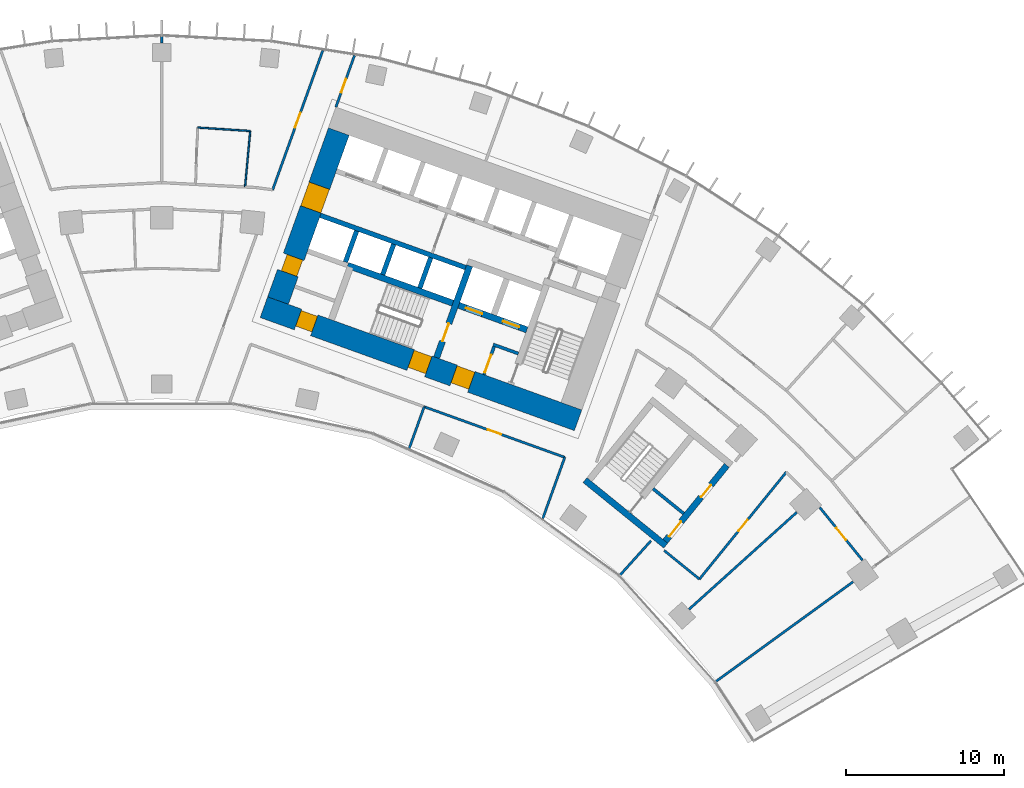
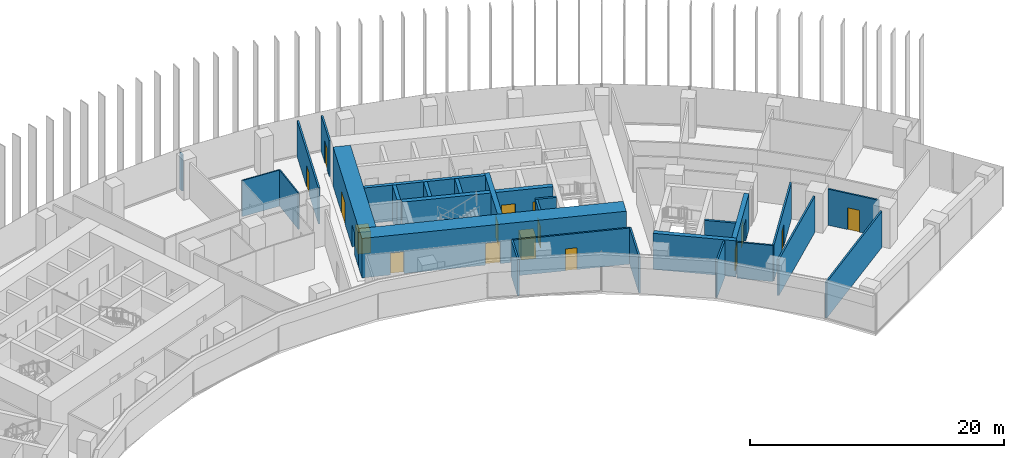
# One storey, part 17 of 21: 27 walls, 16 doors, 16 openings.
"""IFC4 building model written with IfcOpenShell, lengths in metres."""

from ifc_helpers import new_model, si_unit, direction, frame, frame_2d, origin, place, context, subcontext, project, spatial, rectangle, extrude, material, layer, layer_set, type_object, element, fill, save


model = new_model("IFC4")

# Units and contexts
model_context = context("Model", 3, precision=1e-05, world=origin(), true_north=direction((0.0, 1.0)))
body_context = subcontext(model_context, "Body", "Model", "MODEL_VIEW")
ifc_project = project(units=[si_unit("LENGTHUNIT", "METRE"), si_unit("AREAUNIT", "SQUARE_METRE"), si_unit("VOLUMEUNIT", "CUBIC_METRE"), si_unit("PLANEANGLEUNIT", "RADIAN"), si_unit("MASSUNIT", "GRAM", prefix="KILO")], contexts=[model_context])

# Site, building, storey
site_placement = place(None, origin())
site = spatial("IfcSite", under=ifc_project, at=site_placement, CompositionType="ELEMENT")
building_placement = place(site_placement, origin())
building = spatial("IfcBuilding", under=site, at=building_placement, Name="Stone Belt Terrace Tower", CompositionType="ELEMENT")
storey_placement = place(building_placement, frame((0.0, 0.0, 87.0)))
storey = spatial("IfcBuildingStorey", under=building, at=storey_placement, Name="L20", CompositionType="ELEMENT", Elevation=87.0)

# Wall, openings, doors
ifc_material_1 = material(Name="Concrete B80", Category="concrete")
ifc_layer_1 = layer(ifc_material_1, 1.39990234375)
ifc_layer_set_1 = layer_set([ifc_layer_1], Name="Core wall 1400 B80")
wall_type_1 = type_object("IfcWallType", Name="Core wall 1400 B80", PredefinedType="SHEAR", material=ifc_layer_set_1)
wall_1_placement = place(storey_placement, frame((6.4833984375, 49.318115234375, 0.0), z_axis=(0.0, 0.0, 1.0), x_axis=(0.940923374003, -0.33861955681, 0.0)))
wall_1 = element("IfcWall", 1, at=wall_1_placement, inside=storey, type_object=wall_type_1, Name="Core B wall concave L20", PredefinedType="SHEAR", context=body_context, shape_type="SweptSolid", body=[
    extrude(rectangle(XDim=21.199951171875, YDim=1.39990234375, at=frame_2d((10.60009765625, 0.0))), origin(), (0.0, 0.0, 1.0), 3.800048828125),
])
opening_1_placement = place(wall_1_placement, frame((12.800048828125, 0.0, 0.0)))
opening_1 = element("IfcOpeningElement", 2, at=opening_1_placement, cuts=wall_1, Name="Opening L20-C18", PredefinedType="OPENING", context=body_context, shape_type="SweptSolid", body=[
    extrude(rectangle(XDim=1.199951171875, YDim=2.10009765625, at=frame_2d((0.60009765625, 1.050048828125))), frame((0.0, 0.7099609375, 0.0), z_axis=(0.0, -1.0, 0.0), x_axis=(1.0, 0.0, 0.0)), (0.0, 0.0, 1.0), 1.419921875),
])
opening_2_placement = place(wall_1_placement, frame((9.89990234375, 0.0, 0.0)))
opening_2 = element("IfcOpeningElement", 3, at=opening_2_placement, cuts=wall_1, Name="Opening L20-C20", PredefinedType="OPENING", context=body_context, shape_type="SweptSolid", body=[
    extrude(rectangle(XDim=1.199951171875, YDim=2.10009765625, at=frame_2d((0.60009765625, 1.050048828125))), frame((0.0, 0.7099609375, 0.0), z_axis=(0.0, -1.0, 0.0), x_axis=(1.0, 0.0, 0.0)), (0.0, 0.0, 1.0), 1.419921875),
])
opening_3_placement = place(wall_1_placement, frame((2.300048828125, 0.0, 0.0)))
opening_3 = element("IfcOpeningElement", 4, at=opening_3_placement, cuts=wall_1, Name="Opening L20-C22", PredefinedType="OPENING", context=body_context, shape_type="SweptSolid", body=[
    extrude(rectangle(XDim=1.10009765625, YDim=2.10009765625, at=frame_2d((0.550048828125, 1.050048828125))), frame((0.0, 0.7099609375, 0.0), z_axis=(0.0, -1.0, 0.0), x_axis=(1.0, 0.0, 0.0)), (0.0, 0.0, 1.0), 1.419921875),
])
ifc_material_2 = material(Name="Timber door leaf", Category="wood")
door_type_1 = type_object("IfcDoorType", Name="Core room door 1100", OperationType="SINGLE_SWING_LEFT", PredefinedType="DOOR", material=ifc_material_2)
door_1_placement = place(opening_3_placement, origin())
door_1 = element("IfcDoor", 5, at=door_1_placement, inside=storey, type_object=door_type_1, Name="Door to Pipe riser core B", OperationType="SINGLE_SWING_RIGHT", OverallHeight=2.10009765625, OverallWidth=1.10009765625, PredefinedType="DOOR", context=body_context, shape_type="SweptSolid", body=[
    extrude(rectangle(XDim=1.10009765625, YDim=2.10009765625, at=frame_2d((0.550048828125, 1.050048828125))), frame((0.0, 0.60498046875, 0.0), z_axis=(0.0, -1.0, 0.0), x_axis=(1.0, 0.0, 0.0)), (0.0, 0.0, 1.0), 1.050048828125),
])
fill(opening_3, door_1)
ifc_material_3 = material(Name="Steel door leaf", Category="steel")
door_type_2 = type_object("IfcDoorType", Name="Fire-fighting lobby door 1200", OperationType="SINGLE_SWING_LEFT", PredefinedType="DOOR", material=ifc_material_3)
door_2_placement = place(opening_1_placement, origin())
door_2 = element("IfcDoor", 6, at=door_2_placement, inside=storey, type_object=door_type_2, Name="Fire-fighting lobby door core B", OperationType="SINGLE_SWING_RIGHT", OverallHeight=2.10009765625, OverallWidth=1.199951171875, PredefinedType="DOOR", context=body_context, shape_type="SweptSolid", body=[
    extrude(rectangle(XDim=1.199951171875, YDim=2.10009765625, at=frame_2d((0.60009765625, 1.050048828125))), frame((0.0, 0.655029296875, 0.0), z_axis=(0.0, -1.0, 0.0), x_axis=(1.0, 0.0, 0.0)), (0.0, 0.0, 1.0), 1.14990234375),
])
fill(opening_1, door_2)
door_type_3 = type_object("IfcDoorType", Name="Stair door 1200", OperationType="SINGLE_SWING_LEFT", PredefinedType="DOOR", material=ifc_material_3)
door_3_placement = place(opening_2_placement, origin())
door_3 = element("IfcDoor", 7, at=door_3_placement, inside=storey, type_object=door_type_3, Name="Stair 2 exit door core B", OperationType="SINGLE_SWING_LEFT", OverallHeight=2.10009765625, OverallWidth=1.199951171875, PredefinedType="DOOR", context=body_context, shape_type="SweptSolid", body=[
    extrude(rectangle(XDim=1.199951171875, YDim=2.10009765625, at=frame_2d((0.60009765625, 1.050048828125))), frame((0.0, 0.655029296875, 0.0), z_axis=(0.0, -1.0, 0.0), x_axis=(1.0, 0.0, 0.0)), (0.0, 0.0, 1.0), 1.14990234375),
])
fill(opening_2, door_3)

wall_2_placement = place(storey_placement, frame((7.379150390625, 49.73974609375, 0.0), z_axis=(0.0, 0.0, 1.0), x_axis=(0.338625431531, 0.940921259788, 0.0)))
wall_2 = element("IfcWall", 8, at=wall_2_placement, inside=storey, type_object=wall_type_1, Name="Core B wall end_a L20", PredefinedType="SHEAR", context=body_context, shape_type="SweptSolid", body=[
    extrude(rectangle(XDim=11.400146484375, YDim=1.39990234375, at=frame_2d((5.7001953125, 0.0))), origin(), (0.0, 0.0, 1.0), 3.800048828125),
])
opening_4_placement = place(wall_2_placement, frame((6.14990234375, 0.0, 0.0)))
opening_4 = element("IfcOpeningElement", 9, at=opening_4_placement, cuts=wall_2, Name="Opening L20-C15", PredefinedType="OPENING", context=body_context, shape_type="SweptSolid", body=[
    extrude(rectangle(XDim=1.60009765625, YDim=2.10009765625, at=frame_2d((0.800048828125, 1.050048828125))), frame((0.0, 0.7099609375, 0.0), z_axis=(0.0, -1.0, 0.0), x_axis=(1.0, 0.0, 0.0)), (0.0, 0.0, 1.0), 1.419921875),
])
opening_5_placement = place(wall_2_placement, frame((1.85009765625, 0.0, 0.0)))
opening_5 = element("IfcOpeningElement", 10, at=opening_5_placement, cuts=wall_2, Name="Opening L20-C21", PredefinedType="OPENING", context=body_context, shape_type="SweptSolid", body=[
    extrude(rectangle(XDim=1.10009765625, YDim=2.10009765625, at=frame_2d((0.550048828125, 1.050048828125))), frame((0.0, 0.7099609375, 0.0), z_axis=(0.0, -1.0, 0.0), x_axis=(1.0, 0.0, 0.0)), (0.0, 0.0, 1.0), 1.419921875),
])
door_4_placement = place(opening_5_placement, origin())
door_4 = element("IfcDoor", 11, at=door_4_placement, inside=storey, type_object=door_type_1, Name="Door to Accessible WC core B", OperationType="SINGLE_SWING_LEFT", OverallHeight=2.10009765625, OverallWidth=1.10009765625, PredefinedType="DOOR", context=body_context, shape_type="SweptSolid", body=[
    extrude(rectangle(XDim=1.10009765625, YDim=2.10009765625, at=frame_2d((0.550048828125, 1.050048828125))), frame((0.0, 0.44482421875, 0.0), z_axis=(0.0, -1.0, 0.0), x_axis=(1.0, 0.0, 0.0)), (0.0, 0.0, 1.0), 1.050048828125),
])
fill(opening_5, door_4)
ifc_material_4 = material(Name="Glazed aluminium door leaf", Category="aluminium")
door_type_4 = type_object("IfcDoorType", Name="Lift lobby entrance door 1600", OperationType="DOUBLE_DOOR_SINGLE_SWING", PredefinedType="DOOR", material=ifc_material_4)
door_5_placement = place(opening_4_placement, origin())
door_5 = element("IfcDoor", 12, at=door_5_placement, inside=storey, type_object=door_type_4, Name="Lift lobby entrance door core B", OperationType="DOUBLE_DOOR_SINGLE_SWING", OverallHeight=2.10009765625, OverallWidth=1.60009765625, PredefinedType="DOOR", context=body_context, shape_type="SweptSolid", body=[
    extrude(rectangle(XDim=1.60009765625, YDim=2.10009765625, at=frame_2d((0.800048828125, 1.050048828125))), frame((0.0, 0.68017578125, 0.0), z_axis=(0.0, -1.0, 0.0), x_axis=(1.0, 0.0, 0.0)), (0.0, 0.0, 1.0), 1.360107421875),
])
fill(opening_4, door_5)

# Walls
ifc_layer_2 = layer(ifc_material_1, 0.300048828125)
ifc_layer_set_2 = layer_set([ifc_layer_2], Name="Lift shaft wall 300")
wall_type_2 = type_object("IfcWallType", Name="Lift shaft wall 300", PredefinedType="SHEAR", material=ifc_layer_set_2)
wall_3_placement = place(storey_placement, frame((19.29052734375, 51.829833984375, 0.0), z_axis=(0.0, 0.0, 1.0), x_axis=(-0.940925833398, 0.338612722803, 0.0)))
element("IfcWall", 13, at=wall_3_placement, inside=storey, type_object=wall_type_2, Name="Core B wall", PredefinedType="SHEAR", context=body_context, shape_type="SweptSolid", body=[
    extrude(rectangle(XDim=9.7998046875, YDim=0.300048828125, at=frame_2d((4.89990234375, 0.0))), origin(), (0.0, 0.0, 1.0), 3.47998046875),
])
for number, where, z_axis, x_axis, name in (
    (14, (16.38134765625, 50.53857421875, 0.0), (0.0, 0.0, 1.0), (0.338681515556, 0.940901073982, 0.0), "Core B wall"),
    (15, (14.029052734375, 51.38525390625, 0.0), (0.0, 0.0, 1.0), (0.338681515556, 0.940901073982, 0.0), "Core B wall"),
):
    element("IfcWall", number, at=place(storey_placement, frame(where, z_axis=z_axis, x_axis=x_axis)), inside=storey, type_object=wall_type_2, Name=name, PredefinedType="SHEAR", context=body_context, shape_type="SweptSolid", body=[
        extrude(rectangle(XDim=2.050048828125, YDim=0.300048828125, at=frame_2d((1.02490234375, 0.0))), origin(), (0.0, 0.0, 1.0), 3.47998046875),
    ])
wall_4_placement = place(storey_placement, frame((11.659912109375, 52.184814453125, 0.0), z_axis=(0.0, 0.0, 1.0), x_axis=(0.338670064856, 0.940905195634, 0.0)))
element("IfcWall", 16, at=wall_4_placement, inside=storey, type_object=wall_type_2, Name="Core B wall", PredefinedType="SHEAR", context=body_context, shape_type="SweptSolid", body=[
    extrude(rectangle(XDim=2.099853515625, YDim=0.300048828125, at=frame_2d((1.0498046875, 0.0))), origin(), (0.0, 0.0, 1.0), 3.47998046875),
])
ifc_material_5 = material(Name="Gypsum board partition")
ifc_layer_3 = layer(ifc_material_5, 0.10009765625)
ifc_layer_set_3 = layer_set([ifc_layer_3], Name="PARTITION 100")
wall_type_3 = type_object("IfcWallType", Name="PARTITION 100", PredefinedType="PARTITIONING", material=ifc_layer_set_3)
wall_5_placement = place(storey_placement, frame((5.287109375, 56.947998046875, 0.0), z_axis=(0.0, 0.0, 1.0), x_axis=(0.092360135741, 0.995725667705, 0.0)))
element("IfcWall", 17, at=wall_5_placement, inside=storey, type_object=wall_type_3, Name="L20/wall/i091", PredefinedType="PARTITIONING", context=body_context, shape_type="SweptSolid", body=[
    extrude(rectangle(XDim=3.5712890625, YDim=0.10009765625, at=frame_2d((1.78564453125, 0.0))), origin(), (0.0, 0.0, 1.0), 3.47998046875),
])
wall_6_placement = place(storey_placement, frame((5.616943359375, 60.50390625, 0.0), z_axis=(0.0, 0.0, 1.0), x_axis=(-0.997869987179, 0.065234106775, 0.0)))
element("IfcWall", 18, at=wall_6_placement, inside=storey, type_object=wall_type_3, Name="L20/wall/i092", PredefinedType="PARTITIONING", context=body_context, shape_type="SweptSolid", body=[
    extrude(rectangle(XDim=3.342041015625, YDim=0.10009765625, at=frame_2d((1.6708984375, 0.0))), origin(), (0.0, 0.0, 1.0), 3.47998046875),
])

# Wall, opening, door
ifc_layer_4 = layer(ifc_material_5, 0.14990234375)
ifc_layer_set_4 = layer_set([ifc_layer_4], Name="PARTITION 150 EI 60")
wall_type_4 = type_object("IfcWallType", Name="PARTITION 150 EI 60", PredefinedType="PARTITIONING", material=ifc_layer_set_4)
wall_7_placement = place(storey_placement, frame((12.23486328125, 65.297119140625, 0.0), z_axis=(0.0, 0.0, 1.0), x_axis=(-0.338853532575, -0.94083913793, 0.0)))
wall_7 = element("IfcWall", 19, at=wall_7_placement, inside=storey, type_object=wall_type_4, Name="L20/wall/i016", PredefinedType="PARTITIONING", context=body_context, shape_type="SweptSolid", body=[
    extrude(rectangle(XDim=3.482177734375, YDim=0.14990234375, at=frame_2d((1.7412109375, 0.0))), origin(), (0.0, 0.0, 1.0), 3.47998046875),
])
opening_6_placement = place(wall_7_placement, frame((1.58837890625, 0.0, 0.0)))
opening_6 = element("IfcOpeningElement", 20, at=opening_6_placement, cuts=wall_7, Name="Opening D-B1-07", PredefinedType="OPENING", context=body_context, shape_type="SweptSolid", body=[
    extrude(rectangle(XDim=0.89990234375, YDim=2.10009765625, at=frame_2d((0.449951171875, 1.050048828125))), frame((0.0, 0.0849609375, 0.0), z_axis=(0.0, -1.0, 0.0), x_axis=(1.0, 0.0, 0.0)), (0.0, 0.0, 1.0), 0.169921875),
])
door_type_5 = type_object("IfcDoorType", Name="OFFICE DOOR 900 X 2100", OperationType="NOTDEFINED", PredefinedType="DOOR", material=ifc_material_2)
door_6_placement = place(opening_6_placement, origin())
door_6 = element("IfcDoor", 21, at=door_6_placement, inside=storey, type_object=door_type_5, Name="L20/door/i07", OperationType="SINGLE_SWING_RIGHT", OverallHeight=2.10009765625, OverallWidth=0.89990234375, PredefinedType="DOOR", context=body_context, shape_type="SweptSolid", body=[
    extrude(rectangle(XDim=0.89990234375, YDim=2.10009765625, at=frame_2d((0.449951171875, 1.050048828125))), frame((0.0, 0.02490234375, 0.0), z_axis=(0.0, -1.0, 0.0), x_axis=(1.0, 0.0, 0.0)), (0.0, 0.0, 1.0), 0.050048828125),
])
fill(opening_6, door_6)

wall_8_placement = place(storey_placement, frame((7.0390625, 56.76708984375, 0.0), z_axis=(0.0, 0.0, 1.0), x_axis=(0.338637655092, 0.940916860596, 0.0)))
wall_8 = element("IfcWall", 22, at=wall_8_placement, inside=storey, type_object=wall_type_4, Name="L20/wall/i018", PredefinedType="PARTITIONING", context=body_context, shape_type="SweptSolid", body=[
    extrude(rectangle(XDim=9.40478515625, YDim=0.14990234375, at=frame_2d((4.702392578125, 0.0))), origin(), (0.0, 0.0, 1.0), 3.47998046875),
])
opening_7_placement = place(wall_8_placement, frame((4.202392578125, 0.0, 0.0)))
opening_7 = element("IfcOpeningElement", 23, at=opening_7_placement, cuts=wall_8, Name="Opening D-B1-27", PredefinedType="OPENING", context=body_context, shape_type="SweptSolid", body=[
    extrude(rectangle(XDim=1.0, YDim=2.10009765625, at=frame_2d((0.5, 1.050048828125))), frame((0.0, 0.0849609375, 0.0), z_axis=(0.0, -1.0, 0.0), x_axis=(1.0, 0.0, 0.0)), (0.0, 0.0, 1.0), 0.169921875),
])
ifc_material_6 = material(Name="Timber fire door leaf", Category="wood")
door_type_6 = type_object("IfcDoorType", Name="TENANCY ENTRANCE DOOR 1000 X 2100", OperationType="NOTDEFINED", PredefinedType="DOOR", material=ifc_material_6)
door_7_placement = place(opening_7_placement, origin())
door_7 = element("IfcDoor", 24, at=door_7_placement, inside=storey, type_object=door_type_6, Name="L20/door/i27", OperationType="SINGLE_SWING_RIGHT", OverallHeight=2.10009765625, OverallWidth=1.0, PredefinedType="DOOR", context=body_context, shape_type="SweptSolid", body=[
    extrude(rectangle(XDim=1.0, YDim=2.10009765625, at=frame_2d((0.5, 1.050048828125))), frame((0.0, 0.02490234375, 0.0), z_axis=(0.0, -1.0, 0.0), x_axis=(1.0, 0.0, 0.0)), (0.0, 0.0, 1.0), 0.050048828125),
])
fill(opening_7, door_7)

# Walls
wall_9_placement = place(storey_placement, frame((24.18603515625, 35.902099609375, 0.0), z_axis=(0.0, 0.0, 1.0), x_axis=(0.338545933013, 0.940949866486, 0.0)))
element("IfcWall", 25, at=wall_9_placement, inside=storey, type_object=wall_type_4, Name="L20/wall/i019", PredefinedType="PARTITIONING", context=body_context, shape_type="SweptSolid", body=[
    extrude(rectangle(XDim=4.135009765625, YDim=0.14990234375, at=frame_2d((2.0673828125, 0.0))), origin(), (0.0, 0.0, 1.0), 3.47998046875),
])
wall_10_placement = place(storey_placement, frame((31.054931640625, 34.489990234375, 0.0), z_axis=(0.0, 0.0, 1.0), x_axis=(-0.669108362487, -0.743164853347, 0.0)))
element("IfcWall", 26, at=wall_10_placement, inside=storey, type_object=wall_type_4, Name="L20/wall/i022", PredefinedType="PARTITIONING", context=body_context, shape_type="SweptSolid", body=[
    extrude(rectangle(XDim=2.910888671875, YDim=0.14990234375, at=frame_2d((1.45556640625, 0.0))), origin(), (0.0, 0.0, 1.0), 3.47998046875),
])

# Wall, opening, door
wall_11_placement = place(storey_placement, frame((25.583984375, 39.787109375, 0.0), z_axis=(0.0, 0.0, 1.0), x_axis=(-0.940938892823, 0.338576431508, 0.0)))
wall_11 = element("IfcWall", 27, at=wall_11_placement, inside=storey, type_object=wall_type_4, Name="L20/wall/i026", PredefinedType="PARTITIONING", context=body_context, shape_type="SweptSolid", body=[
    extrude(rectangle(XDim=9.489501953125, YDim=0.14990234375, at=frame_2d((4.74462890625, 0.0))), origin(), (0.0, 0.0, 1.0), 3.47998046875),
])
opening_8_placement = place(wall_11_placement, frame((4.294677734375, 0.0, 0.0)))
opening_8 = element("IfcOpeningElement", 28, at=opening_8_placement, cuts=wall_11, Name="Opening D-B1-06", PredefinedType="OPENING", context=body_context, shape_type="SweptSolid", body=[
    extrude(rectangle(XDim=0.89990234375, YDim=2.10009765625, at=frame_2d((0.449951171875, 1.050048828125))), frame((0.0, 0.0849609375, 0.0), z_axis=(0.0, -1.0, 0.0), x_axis=(1.0, 0.0, 0.0)), (0.0, 0.0, 1.0), 0.169921875),
])
door_8_placement = place(opening_8_placement, origin())
door_8 = element("IfcDoor", 29, at=door_8_placement, inside=storey, type_object=door_type_5, Name="L20/door/i06", OperationType="SINGLE_SWING_RIGHT", OverallHeight=2.10009765625, OverallWidth=0.89990234375, PredefinedType="DOOR", context=body_context, shape_type="SweptSolid", body=[
    extrude(rectangle(XDim=0.89990234375, YDim=2.10009765625, at=frame_2d((0.449951171875, 1.050048828125))), frame((0.0, 0.02490234375, 0.0), z_axis=(0.0, -1.0, 0.0), x_axis=(1.0, 0.0, 0.0)), (0.0, 0.0, 1.0), 0.050048828125),
])
fill(opening_8, door_8)

# Walls
wall_12_placement = place(storey_placement, frame((16.660888671875, 42.998046875, 0.0), z_axis=(0.0, 0.0, 1.0), x_axis=(-0.338818163049, -0.940851875902, 0.0)))
element("IfcWall", 30, at=wall_12_placement, inside=storey, type_object=wall_type_4, Name="L20/wall/i027", PredefinedType="PARTITIONING", context=body_context, shape_type="SweptSolid", body=[
    extrude(rectangle(XDim=2.802978515625, YDim=0.14990234375, at=frame_2d((1.4013671875, 0.0))), origin(), (0.0, 0.0, 1.0), 3.47998046875),
])
wall_13_placement = place(storey_placement, frame((35.192138671875, 25.568115234375, 0.0), z_axis=(0.0, 0.0, 1.0), x_axis=(0.809024841759, 0.587774451143, 0.0)))
element("IfcWall", 31, at=wall_13_placement, inside=storey, type_object=wall_type_4, Name="L20/wall/i047", PredefinedType="PARTITIONING", context=body_context, shape_type="SweptSolid", body=[
    extrude(rectangle(XDim=10.745361328125, YDim=0.14990234375, at=frame_2d((5.37255859375, 0.0))), origin(), (0.0, 0.0, 1.0), 3.47998046875),
])

# Wall, opening, door
wall_14_placement = place(storey_placement, frame((44.485107421875, 33.253662109375, 0.0), z_axis=(0.0, 0.0, 1.0), x_axis=(-0.629214542808, 0.777231663739, 0.0)))
wall_14 = element("IfcWall", 32, at=wall_14_placement, inside=storey, type_object=wall_type_4, Name="L20/wall/i055", PredefinedType="PARTITIONING", context=body_context, shape_type="SweptSolid", body=[
    extrude(rectangle(XDim=4.304931640625, YDim=0.14990234375, at=frame_2d((2.15234375, 0.0))), origin(), (0.0, 0.0, 1.0), 3.47998046875),
])
opening_9_placement = place(wall_14_placement, frame((1.652587890625, 0.0, 0.0)))
opening_9 = element("IfcOpeningElement", 33, at=opening_9_placement, cuts=wall_14, Name="Opening D-B1-17", PredefinedType="OPENING", context=body_context, shape_type="SweptSolid", body=[
    extrude(rectangle(XDim=1.0, YDim=2.10009765625, at=frame_2d((0.5, 1.050048828125))), frame((0.0, 0.0849609375, 0.0), z_axis=(0.0, -1.0, 0.0), x_axis=(1.0, 0.0, 0.0)), (0.0, 0.0, 1.0), 0.169921875),
])
door_9_placement = place(opening_9_placement, origin())
door_9 = element("IfcDoor", 34, at=door_9_placement, inside=storey, type_object=door_type_6, Name="L20/door/i17", OperationType="SINGLE_SWING_RIGHT", OverallHeight=2.10009765625, OverallWidth=1.0, PredefinedType="DOOR", context=body_context, shape_type="SweptSolid", body=[
    extrude(rectangle(XDim=1.0, YDim=2.10009765625, at=frame_2d((0.5, 1.050048828125))), frame((0.0, 0.02490234375, 0.0), z_axis=(0.0, -1.0, 0.0), x_axis=(1.0, 0.0, 0.0)), (0.0, 0.0, 1.0), 0.050048828125),
])
fill(opening_9, door_9)

wall_15_placement = place(storey_placement, frame((39.64599609375, 38.84912109375, 0.0), z_axis=(0.0, 0.0, 1.0), x_axis=(-0.630141823003, -0.776480059566, 0.0)))
wall_15 = element("IfcWall", 35, at=wall_15_placement, inside=storey, type_object=wall_type_4, Name="L20/wall/i059", PredefinedType="PARTITIONING", context=body_context, shape_type="SweptSolid", body=[
    extrude(rectangle(XDim=8.748779296875, YDim=0.14990234375, at=frame_2d((4.37451171875, 0.0))), origin(), (0.0, 0.0, 1.0), 3.47998046875),
])
opening_10_placement = place(wall_15_placement, frame((3.92431640625, 0.0, 0.0)))
opening_10 = element("IfcOpeningElement", 36, at=opening_10_placement, cuts=wall_15, Name="Opening D-B1-16", PredefinedType="OPENING", context=body_context, shape_type="SweptSolid", body=[
    extrude(rectangle(XDim=0.89990234375, YDim=2.10009765625, at=frame_2d((0.449951171875, 1.050048828125))), frame((0.0, 0.0849609375, 0.0), z_axis=(0.0, -1.0, 0.0), x_axis=(1.0, 0.0, 0.0)), (0.0, 0.0, 1.0), 0.169921875),
])
door_10_placement = place(opening_10_placement, origin())
door_10 = element("IfcDoor", 37, at=door_10_placement, inside=storey, type_object=door_type_5, Name="L20/door/i16", OperationType="SINGLE_SWING_RIGHT", OverallHeight=2.10009765625, OverallWidth=0.89990234375, PredefinedType="DOOR", context=body_context, shape_type="SweptSolid", body=[
    extrude(rectangle(XDim=0.89990234375, YDim=2.10009765625, at=frame_2d((0.449951171875, 1.050048828125))), frame((0.0, 0.02490234375, 0.0), z_axis=(0.0, -1.0, 0.0), x_axis=(1.0, 0.0, 0.0)), (0.0, 0.0, 1.0), 0.050048828125),
])
fill(opening_10, door_10)

# Walls
wall_16_placement = place(storey_placement, frame((34.133056640625, 32.055908203125, 0.0), z_axis=(0.0, 0.0, 1.0), x_axis=(-0.776369956068, 0.630277471686, 0.0)))
element("IfcWall", 38, at=wall_16_placement, inside=storey, type_object=wall_type_4, Name="L20/wall/i060", PredefinedType="PARTITIONING", context=body_context, shape_type="SweptSolid", body=[
    extrude(rectangle(XDim=2.8876953125, YDim=0.14990234375, at=frame_2d((1.44384765625, 0.0))), origin(), (0.0, 0.0, 1.0), 3.47998046875),
])
wall_17_placement = place(storey_placement, frame((40.311767578125, 36.297119140625, 0.0), z_axis=(0.0, 0.0, 1.0), x_axis=(-0.74312513137, -0.669152478233, 0.0)))
element("IfcWall", 39, at=wall_17_placement, inside=storey, type_object=wall_type_4, Name="L20/wall/i061", PredefinedType="PARTITIONING", context=body_context, shape_type="SweptSolid", body=[
    extrude(rectangle(XDim=9.195068359375, YDim=0.14990234375, at=frame_2d((4.59765625, 0.0))), origin(), (0.0, 0.0, 1.0), 3.47998046875),
])
wall_18_placement = place(storey_placement, frame((0.0, 66.5, 0.0), z_axis=(0.0, 0.0, 1.0), x_axis=(0.0, -1.0, 0.0)))
element("IfcWall", 40, at=wall_18_placement, inside=storey, type_object=wall_type_4, Name="L20/wall/i089", PredefinedType="PARTITIONING", context=body_context, shape_type="SweptSolid", body=[
    extrude(rectangle(XDim=0.406005859375, YDim=0.14990234375, at=frame_2d((0.203125, 0.0))), origin(), (0.0, 0.0, 1.0), 3.47998046875),
])
ifc_material_7 = material(Name="Concrete masonry block", Category="masonry")
ifc_layer_5 = layer(ifc_material_7, 0.199951171875)
ifc_layer_set_5 = layer_set([ifc_layer_5], Name="Rated lobby wall 200")
wall_type_5 = type_object("IfcWallType", Name="Rated lobby wall 200", PredefinedType="PARTITIONING", material=ifc_layer_set_5)
wall_19_placement = place(storey_placement, frame((22.640625, 46.373046875, 0.0), z_axis=(0.0, 0.0, 1.0), x_axis=(-0.940966110313, 0.338500781747, 0.0)))
element("IfcWall", 41, at=wall_19_placement, inside=storey, type_object=wall_type_5, Name="Core B wall", PredefinedType="PARTITIONING", context=body_context, shape_type="SweptSolid", body=[
    extrude(rectangle(XDim=1.699951171875, YDim=0.199951171875, at=frame_2d((0.85009765625, 0.0))), origin(), (0.0, 0.0, 1.0), 3.47998046875),
])

# Wall, opening, door
wall_20_placement = place(storey_placement, frame((20.4580078125, 45.032958984375, 0.0), z_axis=(0.0, 0.0, 1.0), x_axis=(0.338573865316, 0.940939816208, 0.0)))
wall_20 = element("IfcWall", 42, at=wall_20_placement, inside=storey, type_object=wall_type_5, Name="Core B wall", PredefinedType="PARTITIONING", context=body_context, shape_type="SweptSolid", body=[
    extrude(rectangle(XDim=1.900146484375, YDim=0.199951171875, at=frame_2d((0.9501953125, 0.0))), origin(), (0.0, 0.0, 1.0), 3.47998046875),
])
opening_11_placement = place(wall_20_placement, frame((0.14990234375, 0.0, 0.0)))
opening_11 = element("IfcOpeningElement", 43, at=opening_11_placement, cuts=wall_20, Name="Opening L20-C17", PredefinedType="OPENING", context=body_context, shape_type="SweptSolid", body=[
    extrude(rectangle(XDim=1.199951171875, YDim=2.10009765625, at=frame_2d((0.60009765625, 1.050048828125))), frame((0.0, 0.10986328125, 0.0), z_axis=(0.0, -1.0, 0.0), x_axis=(1.0, 0.0, 0.0)), (0.0, 0.0, 1.0), 0.219970703125),
])
door_11_placement = place(opening_11_placement, origin())
door_11 = element("IfcDoor", 44, at=door_11_placement, inside=storey, type_object=door_type_3, Name="Stair airlock door core B", OperationType="SINGLE_SWING_RIGHT", OverallHeight=2.10009765625, OverallWidth=1.199951171875, PredefinedType="DOOR", context=body_context, shape_type="SweptSolid", body=[
    extrude(rectangle(XDim=1.199951171875, YDim=2.10009765625, at=frame_2d((0.60009765625, 1.050048828125))), frame((0.0, 0.02490234375, 0.0), z_axis=(0.0, -1.0, 0.0), x_axis=(1.0, 0.0, 0.0)), (0.0, 0.0, 1.0), 0.050048828125),
])
fill(opening_11, door_11)

# Wall
wall_21_placement = place(storey_placement, frame((31.190673828125, 37.79296875, 0.0), z_axis=(0.0, 0.0, 1.0), x_axis=(0.776370830301, -0.630276394813, 0.0)))
element("IfcWall", 45, at=wall_21_placement, inside=storey, type_object=wall_type_5, Name="Exit stair ST3B wall", PredefinedType="PARTITIONING", context=body_context, shape_type="SweptSolid", body=[
    extrude(rectangle(XDim=2.5, YDim=0.199951171875, at=frame_2d((1.25, 0.0))), origin(), (0.0, 0.0, 1.0), 3.47998046875),
])

# Wall, openings, doors
ifc_layer_6 = layer(ifc_material_1, 0.39990234375)
ifc_layer_set_6 = layer_set([ifc_layer_6], Name="Stair enclosure wall 400")
wall_type_6 = type_object("IfcWallType", Name="Stair enclosure wall 400", PredefinedType="SHEAR", material=ifc_layer_set_6)
wall_22_placement = place(storey_placement, frame((23.182373046875, 47.87841796875, 0.0), z_axis=(0.0, 0.0, 1.0), x_axis=(-0.940921101762, 0.338625870628, 0.0)))
wall_22 = element("IfcWall", 46, at=wall_22_placement, inside=storey, type_object=wall_type_6, Name="Core B wall", PredefinedType="SHEAR", context=body_context, shape_type="SweptSolid", body=[
    extrude(rectangle(XDim=12.10009765625, YDim=0.39990234375, at=frame_2d((6.050048828125, 0.0))), origin(), (0.0, 0.0, 1.0), 3.47998046875),
])
opening_12_placement = place(wall_22_placement, frame((0.52001953125, 0.0, 0.0)))
opening_12 = element("IfcOpeningElement", 47, at=opening_12_placement, cuts=wall_22, Name="Opening L20-LD16", PredefinedType="OPENING", context=body_context, shape_type="SweptSolid", body=[
    extrude(rectangle(XDim=1.10009765625, YDim=2.199951171875, at=frame_2d((0.550048828125, 1.10009765625))), frame((0.0, 0.2099609375, 0.0), z_axis=(0.0, -1.0, 0.0), x_axis=(1.0, 0.0, 0.0)), (0.0, 0.0, 1.0), 0.419921875),
])
opening_13_placement = place(wall_22_placement, frame((3.02001953125, 0.0, 0.0)))
opening_13 = element("IfcOpeningElement", 48, at=opening_13_placement, cuts=wall_22, Name="Opening L20-LD17", PredefinedType="OPENING", context=body_context, shape_type="SweptSolid", body=[
    extrude(rectangle(XDim=1.10009765625, YDim=2.199951171875, at=frame_2d((0.550048828125, 1.10009765625))), frame((0.0, 0.2099609375, 0.0), z_axis=(0.0, -1.0, 0.0), x_axis=(1.0, 0.0, 0.0)), (0.0, 0.0, 1.0), 0.419921875),
])
ifc_material_8 = material(Name="Stainless steel door leaf", Category="steel")
door_type_7 = type_object("IfcDoorType", Name="Landing door 1100", OperationType="SLIDING_TO_LEFT", PredefinedType="DOOR", material=ifc_material_8)
door_12_placement = place(opening_12_placement, origin())
door_12 = element("IfcDoor", 49, at=door_12_placement, inside=storey, type_object=door_type_7, Name="Landing door FF1 core B", OperationType="SLIDING_TO_LEFT", OverallHeight=2.199951171875, OverallWidth=1.10009765625, PredefinedType="DOOR", context=body_context, shape_type="SweptSolid", body=[
    extrude(rectangle(XDim=1.10009765625, YDim=2.199951171875, at=frame_2d((0.550048828125, 1.10009765625))), frame((0.0, 0.02490234375, 0.0), z_axis=(0.0, -1.0, 0.0), x_axis=(1.0, 0.0, 0.0)), (0.0, 0.0, 1.0), 0.050048828125),
])
fill(opening_12, door_12)
door_13_placement = place(opening_13_placement, origin())
door_13 = element("IfcDoor", 50, at=door_13_placement, inside=storey, type_object=door_type_7, Name="Landing door FF2 core B", OperationType="SLIDING_TO_LEFT", OverallHeight=2.199951171875, OverallWidth=1.10009765625, PredefinedType="DOOR", context=body_context, shape_type="SweptSolid", body=[
    extrude(rectangle(XDim=1.10009765625, YDim=2.199951171875, at=frame_2d((0.550048828125, 1.10009765625))), frame((0.0, 0.02490234375, 0.0), z_axis=(0.0, -1.0, 0.0), x_axis=(1.0, 0.0, 0.0)), (0.0, 0.0, 1.0), 0.050048828125),
])
fill(opening_13, door_13)

# Wall, opening, door
wall_23_placement = place(storey_placement, frame((17.447021484375, 46.116455078125, 0.0), z_axis=(0.0, 0.0, 1.0), x_axis=(0.33860791464, 0.940927563707, 0.0)))
wall_23 = element("IfcWall", 51, at=wall_23_placement, inside=storey, type_object=wall_type_6, Name="Core B wall", PredefinedType="SHEAR", context=body_context, shape_type="SweptSolid", body=[
    extrude(rectangle(XDim=6.199951171875, YDim=0.39990234375, at=frame_2d((3.10009765625, 0.0))), origin(), (0.0, 0.0, 1.0), 3.47998046875),
])
opening_14_placement = place(wall_23_placement, frame((1.10009765625, 0.0, 0.0)))
opening_14 = element("IfcOpeningElement", 52, at=opening_14_placement, cuts=wall_23, Name="Opening L20-C19", PredefinedType="OPENING", context=body_context, shape_type="SweptSolid", body=[
    extrude(rectangle(XDim=1.199951171875, YDim=2.10009765625, at=frame_2d((0.60009765625, 1.050048828125))), frame((0.0, 0.2099609375, 0.0), z_axis=(0.0, -1.0, 0.0), x_axis=(1.0, 0.0, 0.0)), (0.0, 0.0, 1.0), 0.419921875),
])
door_14_placement = place(opening_14_placement, origin())
door_14 = element("IfcDoor", 53, at=door_14_placement, inside=storey, type_object=door_type_3, Name="Stair 2 door core B", OperationType="SINGLE_SWING_RIGHT", OverallHeight=2.10009765625, OverallWidth=1.199951171875, PredefinedType="DOOR", context=body_context, shape_type="SweptSolid", body=[
    extrude(rectangle(XDim=1.199951171875, YDim=2.10009765625, at=frame_2d((0.60009765625, 1.050048828125))), frame((0.0, 0.02490234375, 0.0), z_axis=(0.0, -1.0, 0.0), x_axis=(1.0, 0.0, 0.0)), (0.0, 0.0, 1.0), 0.050048828125),
])
fill(opening_14, door_14)

# Wall
wall_24_placement = place(storey_placement, frame((26.868408203125, 38.3388671875, 0.0), z_axis=(0.0, 0.0, 1.0), x_axis=(0.776428452498, -0.630205409491, 0.0)))
element("IfcWall", 54, at=wall_24_placement, inside=storey, type_object=wall_type_6, Name="Exit stair ST3B wall", PredefinedType="SHEAR", context=body_context, shape_type="SweptSolid", body=[
    extrude(rectangle(XDim=6.60009765625, YDim=0.39990234375, at=frame_2d((3.300048828125, 0.0))), origin(), (0.0, 0.0, 1.0), 3.47998046875),
])

# Wall, openings, doors
wall_25_placement = place(storey_placement, frame((31.963623046875, 34.460693359375, 0.0), z_axis=(0.0, 0.0, 1.0), x_axis=(0.630192283849, 0.776439106033, 0.0)))
wall_25 = element("IfcWall", 55, at=wall_25_placement, inside=storey, type_object=wall_type_6, Name="Exit stair ST3B wall", PredefinedType="SHEAR", context=body_context, shape_type="SweptSolid", body=[
    extrude(rectangle(XDim=6.199951171875, YDim=0.39990234375, at=frame_2d((3.10009765625, 0.0))), origin(), (0.0, 0.0, 1.0), 3.47998046875),
])
opening_15_placement = place(wall_25_placement, frame((0.39990234375, 0.0, 0.0)))
opening_15 = element("IfcOpeningElement", 56, at=opening_15_placement, cuts=wall_25, Name="Opening L20-C27", PredefinedType="OPENING", context=body_context, shape_type="SweptSolid", body=[
    extrude(rectangle(XDim=1.199951171875, YDim=2.10009765625, at=frame_2d((0.60009765625, 1.050048828125))), frame((0.0, 0.2099609375, 0.0), z_axis=(0.0, -1.0, 0.0), x_axis=(1.0, 0.0, 0.0)), (0.0, 0.0, 1.0), 0.419921875),
])
opening_16_placement = place(wall_25_placement, frame((3.60009765625, 0.0, 0.0)))
opening_16 = element("IfcOpeningElement", 57, at=opening_16_placement, cuts=wall_25, Name="Opening L20-C28", PredefinedType="OPENING", context=body_context, shape_type="SweptSolid", body=[
    extrude(rectangle(XDim=1.0, YDim=2.10009765625, at=frame_2d((0.5, 1.050048828125))), frame((0.0, 0.2099609375, 0.0), z_axis=(0.0, -1.0, 0.0), x_axis=(1.0, 0.0, 0.0)), (0.0, 0.0, 1.0), 0.419921875),
])
door_type_8 = type_object("IfcDoorType", Name="Core room door 1000", OperationType="SINGLE_SWING_LEFT", PredefinedType="DOOR", material=ifc_material_2)
door_15_placement = place(opening_16_placement, origin())
door_15 = element("IfcDoor", 58, at=door_15_placement, inside=storey, type_object=door_type_8, Name="Door to stair pressurisation plant room ST3B", OperationType="SINGLE_SWING_LEFT", OverallHeight=2.10009765625, OverallWidth=1.0, PredefinedType="DOOR", context=body_context, shape_type="SweptSolid", body=[
    extrude(rectangle(XDim=1.0, YDim=2.10009765625, at=frame_2d((0.5, 1.050048828125))), frame((0.0, 0.02490234375, 0.0), z_axis=(0.0, -1.0, 0.0), x_axis=(1.0, 0.0, 0.0)), (0.0, 0.0, 1.0), 0.050048828125),
])
fill(opening_16, door_15)
door_type_9 = type_object("IfcDoorType", Name="Stair airlock door 1200", OperationType="SINGLE_SWING_LEFT", PredefinedType="DOOR", material=ifc_material_3)
door_16_placement = place(opening_15_placement, origin())
door_16 = element("IfcDoor", 59, at=door_16_placement, inside=storey, type_object=door_type_9, Name="Stair airlock door ST3B", OperationType="SINGLE_SWING_LEFT", OverallHeight=2.10009765625, OverallWidth=1.199951171875, PredefinedType="DOOR", context=body_context, shape_type="SweptSolid", body=[
    extrude(rectangle(XDim=1.199951171875, YDim=2.10009765625, at=frame_2d((0.60009765625, 1.050048828125))), frame((0.0, 0.02490234375, 0.0), z_axis=(0.0, -1.0, 0.0), x_axis=(1.0, 0.0, 0.0)), (0.0, 0.0, 1.0), 0.050048828125),
])
fill(opening_15, door_16)

save(model, "model.ifc")
